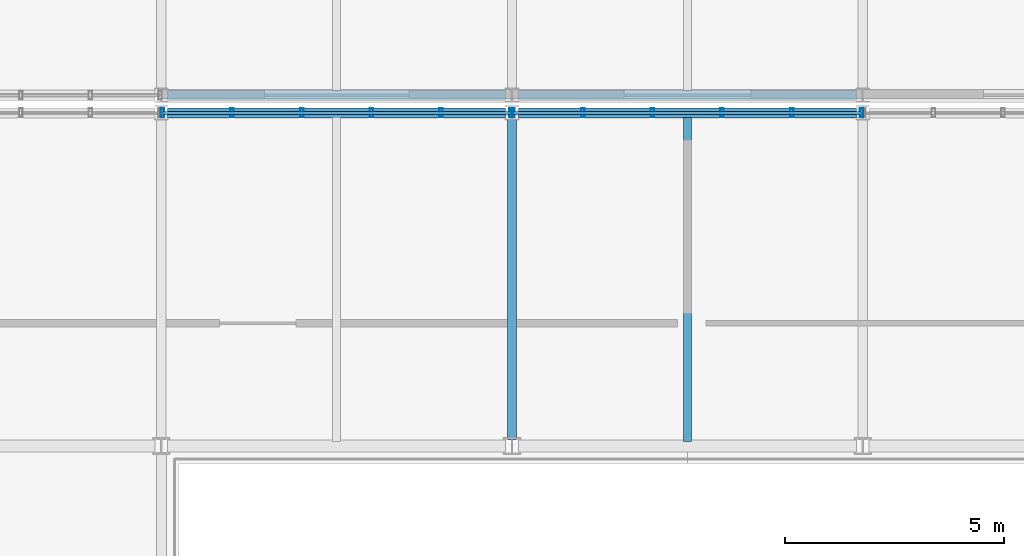
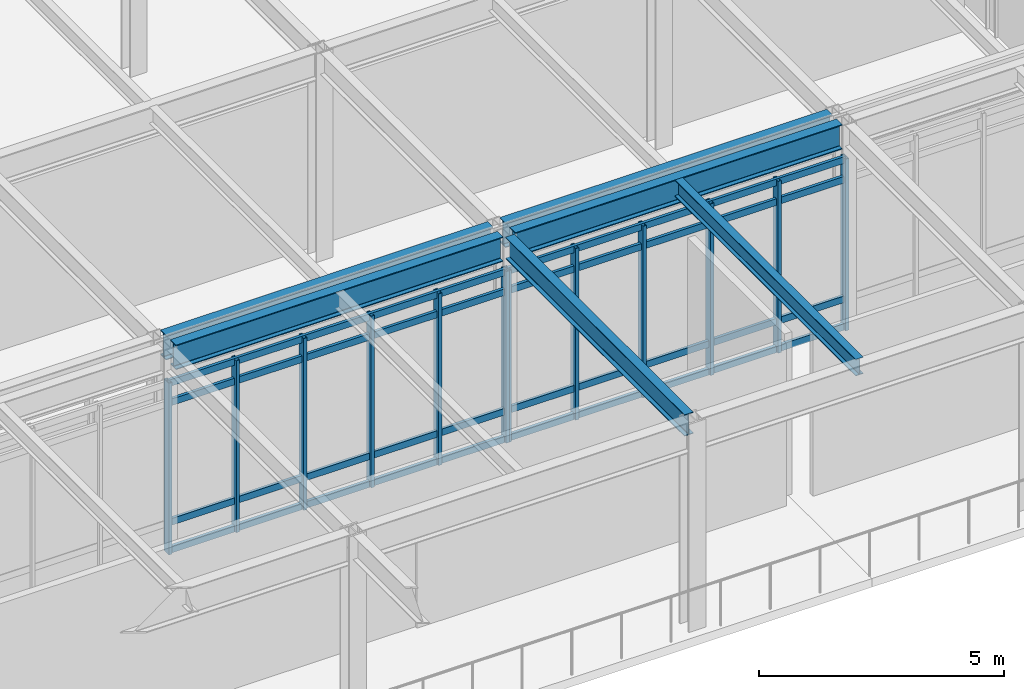
# One storey, part 44 of 94: 20 members, 6 beams, 2 elements without a shape of their own.
"""IFC4 building model written with IfcOpenShell, lengths in metres."""

from ifc_helpers import new_model, si_unit, direction, frame, origin, origin_2d, place, context, subcontext, project, spatial, hollow_rectangle, i_section, extrude, material, material_profile, profile_set, type_object, element, aggregate, save


model = new_model("IFC4")

# Units and contexts
model_context = context("Model", 3, precision=1e-05, world=origin(), true_north=direction((0.0, 1.0)))
body_context = subcontext(model_context, "Body", "Model", "MODEL_VIEW")
ifc_project = project(units=[si_unit("LENGTHUNIT", "METRE"), si_unit("AREAUNIT", "SQUARE_METRE"), si_unit("VOLUMEUNIT", "CUBIC_METRE"), si_unit("PLANEANGLEUNIT", "RADIAN"), si_unit("MASSUNIT", "GRAM", prefix="KILO")], contexts=[model_context])

# Site, building, storey
site_placement = place(None, origin())
site = spatial("IfcSite", under=ifc_project, at=site_placement, CompositionType="ELEMENT")
building_placement = place(site_placement, origin())
building = spatial("IfcBuilding", under=site, at=building_placement, Name="Zulena Civic Courthouse", CompositionType="ELEMENT")
storey_placement = place(building_placement, frame((0.0, 0.0, 5.39990234375)))
storey = spatial("IfcBuildingStorey", under=building, at=storey_placement, Name="L01", CompositionType="ELEMENT", Elevation=5.39990234375)

# Curtain wall, members
ifc_material_1 = material(Name="Double-silver low-E laminated solar-control glass", Category="glass")
curtain_wall_type = type_object("IfcCurtainWallType", Name="CW_7952x4280", PredefinedType="USERDEFINED", material=ifc_material_1)
curtain_wall_1_placement = place(storey_placement, origin())
curtain_wall_1 = element("IfcCurtainWall", 1, at=curtain_wall_1_placement, inside=storey, type_object=curtain_wall_type, Name="cw:V4:L01:1:2", ObjectType="UNITISED CURTAIN WALL", PredefinedType="USERDEFINED")
ifc_material_2 = material(Name="Bronze anodised thermally broken aluminium AA6063-T6", Category="aluminium")
ifc_material_profile_1 = material_profile(ifc_material_2, hollow_rectangle(XDim=0.080078125, YDim=0.199951171875, WallThickness=0.0048828125, at=origin_2d()), Name="CWM200X80X5")
ifc_profile_set_1 = profile_set([ifc_material_profile_1], Name="Bronze anodised thermally broken aluminium AA6063-T6")
member_type_1 = type_object("IfcMemberType", Name="CWMullion_200x80", PredefinedType="MULLION", material=ifc_profile_set_1)
member_1_placement = place(storey_placement, frame((84.02392578125, 45.60009765625, 0.0), z_axis=(0.0, 0.0, 1.0), x_axis=(1.0, 0.0, 0.0)))
member_1 = element("IfcMember", 2, at=member_1_placement, type_object=member_type_1, Name="cw:V4:L01:1:2:mull:0", PredefinedType="MULLION", context=body_context, shape_type="SweptSolid", body=[
    extrude(hollow_rectangle(XDim=0.080078125, YDim=0.199951171875, WallThickness=0.0048828125, at=origin_2d()), origin(), (0.0, 0.0, 1.0), 4.280029296875),
])
member_2_placement = place(storey_placement, frame((85.614501953125, 45.60009765625, 0.0), z_axis=(0.0, 0.0, 1.0), x_axis=(1.0, 0.0, 0.0)))
member_2 = element("IfcMember", 3, at=member_2_placement, type_object=member_type_1, Name="cw:V4:L01:1:2:mull:1", PredefinedType="MULLION", context=body_context, shape_type="SweptSolid", body=[
    extrude(hollow_rectangle(XDim=0.080078125, YDim=0.199951171875, WallThickness=0.0048828125, at=origin_2d()), origin(), (0.0, 0.0, 1.0), 4.280029296875),
])
member_3_placement = place(storey_placement, frame((87.204833984375, 45.60009765625, 0.0), z_axis=(0.0, 0.0, 1.0), x_axis=(1.0, 0.0, 0.0)))
member_3 = element("IfcMember", 4, at=member_3_placement, type_object=member_type_1, Name="cw:V4:L01:1:2:mull:2", PredefinedType="MULLION", context=body_context, shape_type="SweptSolid", body=[
    extrude(hollow_rectangle(XDim=0.080078125, YDim=0.199951171875, WallThickness=0.0048828125, at=origin_2d()), origin(), (0.0, 0.0, 1.0), 4.280029296875),
])
member_4_placement = place(storey_placement, frame((88.795166015625, 45.60009765625, 0.0), z_axis=(0.0, 0.0, 1.0), x_axis=(1.0, 0.0, 0.0)))
member_4 = element("IfcMember", 5, at=member_4_placement, type_object=member_type_1, Name="cw:V4:L01:1:2:mull:3", PredefinedType="MULLION", context=body_context, shape_type="SweptSolid", body=[
    extrude(hollow_rectangle(XDim=0.080078125, YDim=0.199951171875, WallThickness=0.0048828125, at=origin_2d()), origin(), (0.0, 0.0, 1.0), 4.280029296875),
])
member_5_placement = place(storey_placement, frame((90.385498046875, 45.60009765625, 0.0), z_axis=(0.0, 0.0, 1.0), x_axis=(1.0, 0.0, 0.0)))
member_5 = element("IfcMember", 6, at=member_5_placement, type_object=member_type_1, Name="cw:V4:L01:1:2:mull:4", PredefinedType="MULLION", context=body_context, shape_type="SweptSolid", body=[
    extrude(hollow_rectangle(XDim=0.080078125, YDim=0.199951171875, WallThickness=0.0048828125, at=origin_2d()), origin(), (0.0, 0.0, 1.0), 4.280029296875),
])
member_6_placement = place(storey_placement, frame((91.97607421875, 45.60009765625, 0.0), z_axis=(0.0, 0.0, 1.0), x_axis=(1.0, 0.0, 0.0)))
member_6 = element("IfcMember", 7, at=member_6_placement, type_object=member_type_1, Name="cw:V4:L01:1:2:mull:5", PredefinedType="MULLION", context=body_context, shape_type="SweptSolid", body=[
    extrude(hollow_rectangle(XDim=0.080078125, YDim=0.199951171875, WallThickness=0.0048828125, at=origin_2d()), origin(), (0.0, 0.0, 1.0), 4.280029296875),
])

curtain_wall_2_placement = place(storey_placement, origin())
curtain_wall_2 = element("IfcCurtainWall", 8, at=curtain_wall_2_placement, inside=storey, type_object=curtain_wall_type, Name="cw:V4:L01:1:3", ObjectType="UNITISED CURTAIN WALL", PredefinedType="USERDEFINED")
member_7_placement = place(storey_placement, frame((92.02392578125, 45.60009765625, 0.0), z_axis=(0.0, 0.0, 1.0), x_axis=(1.0, 0.0, 0.0)))
member_7 = element("IfcMember", 9, at=member_7_placement, type_object=member_type_1, Name="cw:V4:L01:1:3:mull:0", PredefinedType="MULLION", context=body_context, shape_type="SweptSolid", body=[
    extrude(hollow_rectangle(XDim=0.080078125, YDim=0.199951171875, WallThickness=0.0048828125, at=origin_2d()), origin(), (0.0, 0.0, 1.0), 4.280029296875),
])
member_8_placement = place(storey_placement, frame((93.614501953125, 45.60009765625, 0.0), z_axis=(0.0, 0.0, 1.0), x_axis=(1.0, 0.0, 0.0)))
member_8 = element("IfcMember", 10, at=member_8_placement, type_object=member_type_1, Name="cw:V4:L01:1:3:mull:1", PredefinedType="MULLION", context=body_context, shape_type="SweptSolid", body=[
    extrude(hollow_rectangle(XDim=0.080078125, YDim=0.199951171875, WallThickness=0.0048828125, at=origin_2d()), origin(), (0.0, 0.0, 1.0), 4.280029296875),
])
member_9_placement = place(storey_placement, frame((95.204833984375, 45.60009765625, 0.0), z_axis=(0.0, 0.0, 1.0), x_axis=(1.0, 0.0, 0.0)))
member_9 = element("IfcMember", 11, at=member_9_placement, type_object=member_type_1, Name="cw:V4:L01:1:3:mull:2", PredefinedType="MULLION", context=body_context, shape_type="SweptSolid", body=[
    extrude(hollow_rectangle(XDim=0.080078125, YDim=0.199951171875, WallThickness=0.0048828125, at=origin_2d()), origin(), (0.0, 0.0, 1.0), 4.280029296875),
])
member_10_placement = place(storey_placement, frame((96.795166015625, 45.60009765625, 0.0), z_axis=(0.0, 0.0, 1.0), x_axis=(1.0, 0.0, 0.0)))
member_10 = element("IfcMember", 12, at=member_10_placement, type_object=member_type_1, Name="cw:V4:L01:1:3:mull:3", PredefinedType="MULLION", context=body_context, shape_type="SweptSolid", body=[
    extrude(hollow_rectangle(XDim=0.080078125, YDim=0.199951171875, WallThickness=0.0048828125, at=origin_2d()), origin(), (0.0, 0.0, 1.0), 4.280029296875),
])
member_11_placement = place(storey_placement, frame((98.385498046875, 45.60009765625, 0.0), z_axis=(0.0, 0.0, 1.0), x_axis=(1.0, 0.0, 0.0)))
member_11 = element("IfcMember", 13, at=member_11_placement, type_object=member_type_1, Name="cw:V4:L01:1:3:mull:4", PredefinedType="MULLION", context=body_context, shape_type="SweptSolid", body=[
    extrude(hollow_rectangle(XDim=0.080078125, YDim=0.199951171875, WallThickness=0.0048828125, at=origin_2d()), origin(), (0.0, 0.0, 1.0), 4.280029296875),
])
member_12_placement = place(storey_placement, frame((99.97607421875, 45.60009765625, 0.0), z_axis=(0.0, 0.0, 1.0), x_axis=(1.0, 0.0, 0.0)))
member_12 = element("IfcMember", 14, at=member_12_placement, type_object=member_type_1, Name="cw:V4:L01:1:3:mull:5", PredefinedType="MULLION", context=body_context, shape_type="SweptSolid", body=[
    extrude(hollow_rectangle(XDim=0.080078125, YDim=0.199951171875, WallThickness=0.0048828125, at=origin_2d()), origin(), (0.0, 0.0, 1.0), 4.280029296875),
])

# Member
ifc_material_profile_2 = material_profile(ifc_material_2, hollow_rectangle(XDim=0.070068359375, YDim=0.1650390625, WallThickness=0.00390625, at=origin_2d()), Name="CWT165X70X4")
ifc_profile_set_2 = profile_set([ifc_material_profile_2], Name="Bronze anodised thermally broken aluminium AA6063-T6")
member_type_2 = type_object("IfcMemberType", Name="CWTransom_165x70", PredefinedType="USERDEFINED", material=ifc_profile_set_2)
member_13_placement = place(storey_placement, frame((84.02392578125, 45.60009765625, 0.06005859375), z_axis=(1.0, 0.0, 0.0), x_axis=(0.0, 1.0, 0.0)))
member_13 = element("IfcMember", 15, at=member_13_placement, type_object=member_type_2, Name="cw:V4:L01:1:2:tran:0", ObjectType="TRANSOM", PredefinedType="USERDEFINED", context=body_context, shape_type="SweptSolid", body=[
    extrude(hollow_rectangle(XDim=0.070068359375, YDim=0.1650390625, WallThickness=0.00390625, at=origin_2d()), origin(), (0.0, 0.0, 1.0), 7.9521484375),
])

member_14_placement = place(storey_placement, frame((84.02392578125, 45.60009765625, 0.75), z_axis=(1.0, 0.0, 0.0), x_axis=(0.0, 1.0, 0.0)))
member_14 = element("IfcMember", 16, at=member_14_placement, type_object=member_type_2, Name="cw:V4:L01:1:2:tran:1", ObjectType="TRANSOM", PredefinedType="USERDEFINED", context=body_context, shape_type="SweptSolid", body=[
    extrude(hollow_rectangle(XDim=0.070068359375, YDim=0.1650390625, WallThickness=0.00390625, at=origin_2d()), origin(), (0.0, 0.0, 1.0), 7.9521484375),
])

member_15_placement = place(storey_placement, frame((84.02392578125, 45.60009765625, 3.72998046875), z_axis=(1.0, 0.0, 0.0), x_axis=(0.0, 1.0, 0.0)))
member_15 = element("IfcMember", 17, at=member_15_placement, type_object=member_type_2, Name="cw:V4:L01:1:2:tran:2", ObjectType="TRANSOM", PredefinedType="USERDEFINED", context=body_context, shape_type="SweptSolid", body=[
    extrude(hollow_rectangle(XDim=0.070068359375, YDim=0.1650390625, WallThickness=0.00390625, at=origin_2d()), origin(), (0.0, 0.0, 1.0), 7.9521484375),
])

member_16_placement = place(storey_placement, frame((84.02392578125, 45.60009765625, 4.22021484375), z_axis=(1.0, 0.0, 0.0), x_axis=(0.0, 1.0, 0.0)))
member_16 = element("IfcMember", 18, at=member_16_placement, type_object=member_type_2, Name="cw:V4:L01:1:2:tran:3", ObjectType="TRANSOM", PredefinedType="USERDEFINED", context=body_context, shape_type="SweptSolid", body=[
    extrude(hollow_rectangle(XDim=0.070068359375, YDim=0.1650390625, WallThickness=0.00390625, at=origin_2d()), origin(), (0.0, 0.0, 1.0), 7.9521484375),
])

aggregate(curtain_wall_1, [member_1, member_2, member_3, member_4, member_5, member_6, member_13, member_14, member_15, member_16])

member_17_placement = place(storey_placement, frame((92.02392578125, 45.60009765625, 0.06005859375), z_axis=(1.0, 0.0, 0.0), x_axis=(0.0, 1.0, 0.0)))
member_17 = element("IfcMember", 19, at=member_17_placement, type_object=member_type_2, Name="cw:V4:L01:1:3:tran:0", ObjectType="TRANSOM", PredefinedType="USERDEFINED", context=body_context, shape_type="SweptSolid", body=[
    extrude(hollow_rectangle(XDim=0.070068359375, YDim=0.1650390625, WallThickness=0.00390625, at=origin_2d()), origin(), (0.0, 0.0, 1.0), 7.9521484375),
])

member_18_placement = place(storey_placement, frame((92.02392578125, 45.60009765625, 0.75), z_axis=(1.0, 0.0, 0.0), x_axis=(0.0, 1.0, 0.0)))
member_18 = element("IfcMember", 20, at=member_18_placement, type_object=member_type_2, Name="cw:V4:L01:1:3:tran:1", ObjectType="TRANSOM", PredefinedType="USERDEFINED", context=body_context, shape_type="SweptSolid", body=[
    extrude(hollow_rectangle(XDim=0.070068359375, YDim=0.1650390625, WallThickness=0.00390625, at=origin_2d()), origin(), (0.0, 0.0, 1.0), 7.9521484375),
])

member_19_placement = place(storey_placement, frame((92.02392578125, 45.60009765625, 3.72998046875), z_axis=(1.0, 0.0, 0.0), x_axis=(0.0, 1.0, 0.0)))
member_19 = element("IfcMember", 21, at=member_19_placement, type_object=member_type_2, Name="cw:V4:L01:1:3:tran:2", ObjectType="TRANSOM", PredefinedType="USERDEFINED", context=body_context, shape_type="SweptSolid", body=[
    extrude(hollow_rectangle(XDim=0.070068359375, YDim=0.1650390625, WallThickness=0.00390625, at=origin_2d()), origin(), (0.0, 0.0, 1.0), 7.9521484375),
])

member_20_placement = place(storey_placement, frame((92.02392578125, 45.60009765625, 4.22021484375), z_axis=(1.0, 0.0, 0.0), x_axis=(0.0, 1.0, 0.0)))
member_20 = element("IfcMember", 22, at=member_20_placement, type_object=member_type_2, Name="cw:V4:L01:1:3:tran:3", ObjectType="TRANSOM", PredefinedType="USERDEFINED", context=body_context, shape_type="SweptSolid", body=[
    extrude(hollow_rectangle(XDim=0.070068359375, YDim=0.1650390625, WallThickness=0.00390625, at=origin_2d()), origin(), (0.0, 0.0, 1.0), 7.9521484375),
])

aggregate(curtain_wall_2, [member_7, member_8, member_9, member_10, member_11, member_12, member_17, member_18, member_19, member_20])

# Beams
ifc_material_3 = material(Name="Steel ASTM A992 Grade 50", Category="steel")
ifc_material_profile_3 = material_profile(ifc_material_3, i_section(OverallWidth=0.180908203125, OverallDepth=0.4169921875, WebThickness=0.010986328125, FlangeThickness=0.018310546875, FilletRadius=0.01025390625, at=origin_2d()), Name="W16X57")
ifc_profile_set_3 = profile_set([ifc_material_profile_3], Name="Steel ASTM A992 Grade 50")
beam_type_1 = type_object("IfcBeamType", Name="Joist_W16X57", PredefinedType="JOIST", material=ifc_profile_set_3)
beam_1_placement = place(storey_placement, frame((96.0, 38.10498046875, 4.9765625), z_axis=(0.0, 1.0, 0.0), x_axis=(-1.0, 0.0, 0.0)))
element("IfcBeam", 23, at=beam_1_placement, inside=storey, type_object=beam_type_1, Name="joist:V4:L01:96.00:38.0_45.6", PredefinedType="JOIST", context=body_context, shape_type="SweptSolid", body=[
    extrude(i_section(OverallWidth=0.180908203125, OverallDepth=0.4169921875, WebThickness=0.010986328125, FlangeThickness=0.018310546875, FilletRadius=0.01025390625, at=origin_2d()), origin(), (0.0, 0.0, 1.0), 7.39013671875),
])
ifc_material_profile_4 = material_profile(ifc_material_3, i_section(OverallWidth=0.2099609375, OverallDepth=0.537109375, WebThickness=0.010986328125, FlangeThickness=0.017333984375, FilletRadius=0.0126953125, at=origin_2d()), Name="W21X68")
ifc_profile_set_4 = profile_set([ifc_material_profile_4], Name="Steel ASTM A992 Grade 50")
beam_type_2 = type_object("IfcBeamType", Name="Spandrel_W21X68", PredefinedType="SPANDREL", material=ifc_profile_set_4)
beam_2_placement = place(storey_placement, frame((92.0, 38.14501953125, 4.91650390625), z_axis=(0.0, 1.0, 0.0), x_axis=(-1.0, 0.0, 0.0)))
element("IfcBeam", 24, at=beam_2_placement, inside=storey, type_object=beam_type_2, Name="beam:Y:V4:L01:92.0:38.0_45.6", PredefinedType="SPANDREL", context=body_context, shape_type="SweptSolid", body=[
    extrude(i_section(OverallWidth=0.2099609375, OverallDepth=0.537109375, WebThickness=0.010986328125, FlangeThickness=0.017333984375, FilletRadius=0.0126953125, at=origin_2d()), origin(), (0.0, 0.0, 1.0), 7.31005859375),
])
ifc_material_profile_5 = material_profile(ifc_material_3, i_section(OverallWidth=0.22998046875, OverallDepth=0.616943359375, WebThickness=0.01318359375, FlangeThickness=0.022216796875, FilletRadius=0.0126953125, at=origin_2d()), Name="W24X94")
ifc_profile_set_5 = profile_set([ifc_material_profile_5], Name="Steel ASTM A992 Grade 50")
beam_type_3 = type_object("IfcBeamType", Name="Spandrel_W24X94", PredefinedType="SPANDREL", material=ifc_profile_set_5)
for number, where, z_axis, x_axis, name in (
    (25, (84.14501953125, 45.60009765625, 4.876708984375), (1.0, 0.0, 0.0), (0.0, 1.0, 0.0), "beam:X:V4:L01:45.6:84.0_92.0"),
    (26, (92.14501953125, 45.60009765625, 4.876708984375), (1.0, 0.0, 0.0), (0.0, 1.0, 0.0), "beam:X:V4:L01:45.6:92.0_100.0"),
    (27, (84.14501953125, 46.0, 4.876708984375), (1.0, 0.0, 0.0), (0.0, 1.0, 0.0), "beam:X:V5:L01:46.0:84.0_92.0"),
    (28, (92.14501953125, 46.0, 4.876708984375), (1.0, 0.0, 0.0), (0.0, 1.0, 0.0), "beam:X:V5:L01:46.0:92.0_100.0"),
):
    element("IfcBeam", number, at=place(storey_placement, frame(where, z_axis=z_axis, x_axis=x_axis)), inside=storey, type_object=beam_type_3, Name=name, PredefinedType="SPANDREL", context=body_context, shape_type="SweptSolid", body=[
        extrude(i_section(OverallWidth=0.22998046875, OverallDepth=0.616943359375, WebThickness=0.01318359375, FlangeThickness=0.022216796875, FilletRadius=0.0126953125, at=origin_2d()), origin(), (0.0, 0.0, 1.0), 7.7099609375),
    ])

save(model, "model.ifc")
